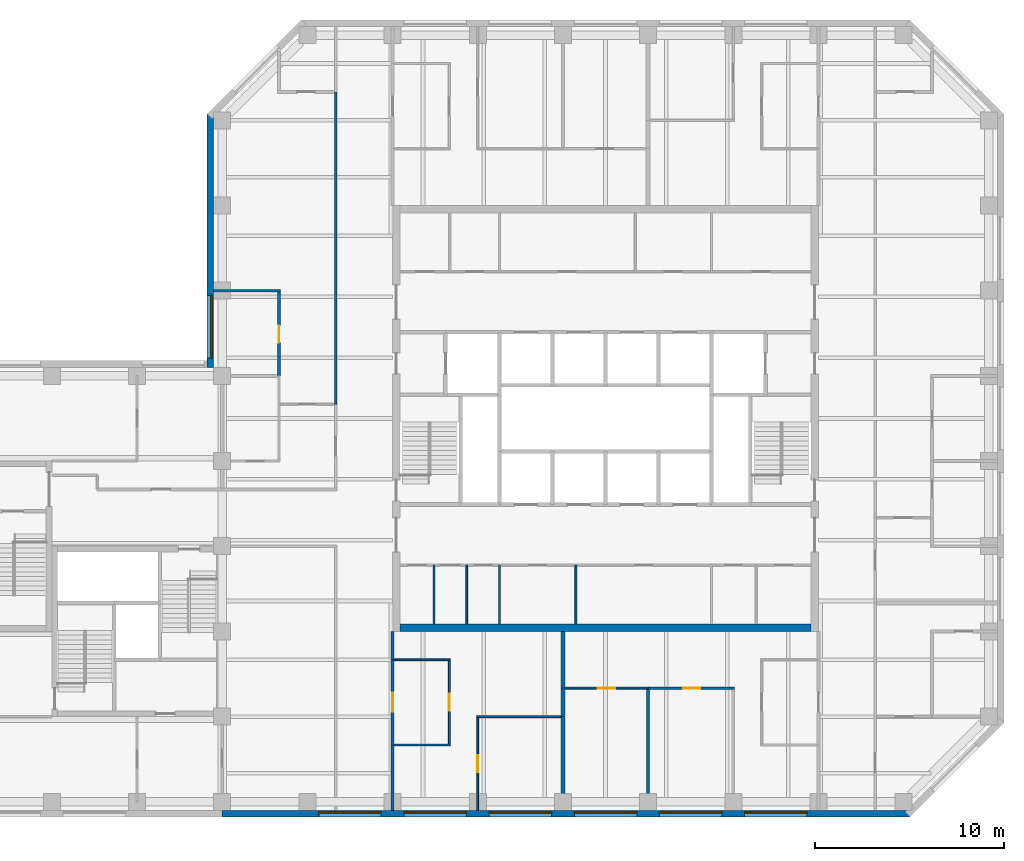
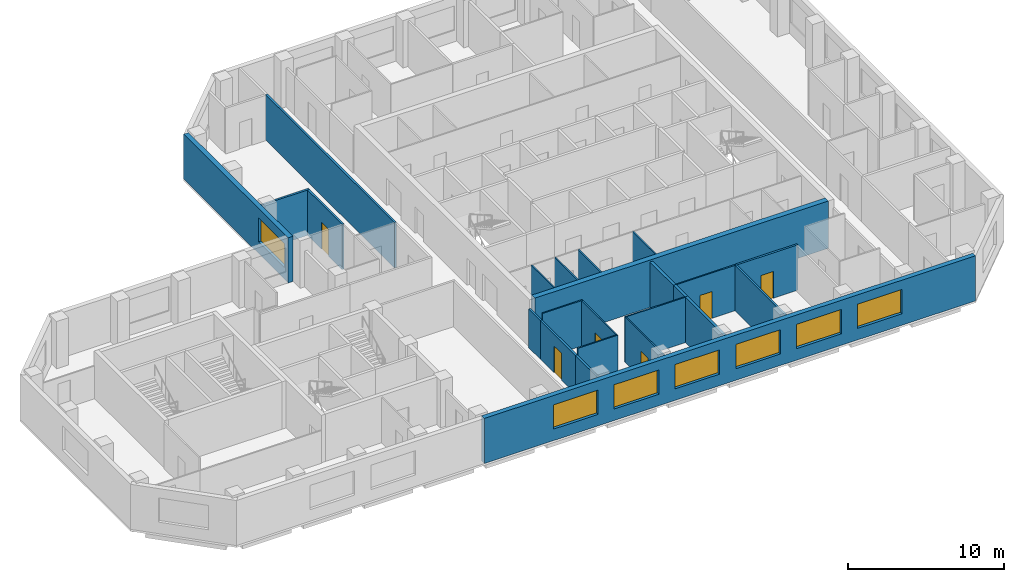
# One storey, part 4 of 10: 24 walls, 7 windows, 6 doors, 13 openings.
"""IFC4 building model written with IfcOpenShell, lengths in metres."""

import ifcopenshell
import ifcopenshell.guid

model = None  # the IFC model being written
_history = None  # IfcOwnerHistory: only IFC2X3 demands one
_inside = {}  # id of a spatial element -> (the spatial element, [elements in it])
_under = {}  # id of a project, library or spatial element -> (it, [spatial elements below it])
_declared = {}  # id of a project -> (the project, [libraries it declares])
_typed = {}  # id of a type object -> (the type object, [elements of that type])
_made_of = {}  # id of a material, layer set ... -> (it, [elements and type objects made of it])


def new_model(schema):
    """Start an empty IFC model of exactly this schema.

    Asked for "IFC4X3", IfcOpenShell would pick the latest addendum, in which some entities
    have other attributes; the version numbers below select the first issue.
    IFC2X3 requires an IfcOwnerHistory on every rooted entity: one is made here for all.
    """
    global model, _history
    if schema == "IFC4X3":
        model = ifcopenshell.file(schema_version=(4, 3, 0, 0))
    else:
        model = ifcopenshell.file(schema=schema)
    _inside.clear()
    _under.clear()
    _declared.clear()
    _typed.clear()
    _made_of.clear()
    _history = None
    if model.schema == "IFC2X3":
        org = make("IfcOrganization", Name="unknown")
        user = make(
            "IfcPersonAndOrganization",
            ThePerson=make("IfcPerson", FamilyName="unknown"),
            TheOrganization=org,
        )
        app = make(
            "IfcApplication",
            ApplicationDeveloper=org,
            Version="unknown",
            ApplicationFullName="unknown",
            ApplicationIdentifier="unknown",
        )
        _history = make(
            "IfcOwnerHistory",
            OwningUser=user,
            OwningApplication=app,
            ChangeAction="ADDED",
            CreationDate=0,
        )
    return model


def make(cls, **values):
    """One entity of the class cls with the attributes given. An attribute that is None is left unset."""
    return model.create_entity(
        cls, **{name: value for name, value in values.items() if value is not None}
    )


def rooted(cls, **values):
    """An entity with a GlobalId (a new one), such as an element, a storey or a relation."""
    return make(cls, GlobalId=ifcopenshell.guid.new(), OwnerHistory=_history, **values)


def si_unit(unit_type, name, prefix=None):
    """IfcSIUnit, for example si_unit("LENGTHUNIT", "METRE", prefix="MILLI")."""
    return make("IfcSIUnit", UnitType=unit_type, Prefix=prefix, Name=name)


def assignment(units):
    """IfcUnitAssignment: the units of a project."""
    return None if units is None else make("IfcUnitAssignment", Units=units)


def point(xyz):
    """IfcCartesianPoint."""
    return None if xyz is None else make("IfcCartesianPoint", Coordinates=xyz)


def direction(xyz):
    """IfcDirection."""
    return None if xyz is None else make("IfcDirection", DirectionRatios=xyz)


def frame(location, z_axis=None, x_axis=None):
    """IfcAxis2Placement3D, a coordinate frame: its origin and axes. An axis left out is left unset."""
    return make(
        "IfcAxis2Placement3D",
        Location=point(location),
        Axis=direction(z_axis),
        RefDirection=direction(x_axis),
    )


def frame_2d(location, x_axis=None):
    """IfcAxis2Placement2D, a coordinate frame in the plane: its origin and x axis."""
    return make(
        "IfcAxis2Placement2D", Location=point(location), RefDirection=direction(x_axis)
    )


def origin():
    """The frame at (0, 0, 0) with its axes left unset."""
    return frame((0.0, 0.0, 0.0))


def place(relative_to, where):
    """IfcLocalPlacement: puts the frame where relative to a parent placement (None: the world)."""
    return make(
        "IfcLocalPlacement", PlacementRelTo=relative_to, RelativePlacement=where
    )


def context(
    kind, dimensions, precision=None, world=None, true_north=None, identifier=None
):
    """IfcGeometricRepresentationContext, for example the 3D "Model" context."""
    return make(
        "IfcGeometricRepresentationContext",
        ContextIdentifier=identifier,
        ContextType=kind,
        CoordinateSpaceDimension=dimensions,
        Precision=precision,
        WorldCoordinateSystem=world,
        TrueNorth=true_north,
    )


def subcontext(parent, identifier, kind, view, scale=None):
    """IfcGeometricRepresentationSubContext, for example "Body" below "Model"."""
    return make(
        "IfcGeometricRepresentationSubContext",
        ContextIdentifier=identifier,
        ContextType=kind,
        ParentContext=parent,
        TargetScale=scale,
        TargetView=view,
    )


def project(units=None, contexts=None):
    """IfcProject with its units and contexts."""
    return rooted(
        "IfcProject",
        Name="project",
        RepresentationContexts=contexts,
        UnitsInContext=assignment(units),
    )


def spatial(cls, under=None, at=None, **own):
    """A site, building, storey or space (cls), placed at a placement, below another one or the project."""
    s = rooted(cls, ObjectPlacement=at, **own)
    if under is not None:
        _under.setdefault(under.id(), (under, []))[1].append(s)
    return s


def profile(cls, at=None, kind="AREA", **sizes):
    """A parametric profile (cls). Its sizes go by their IFC names, for example OverallWidth=200.0."""
    return make(cls, ProfileType=kind, Position=at, **sizes)


def rectangle(**sizes):
    """IfcRectangleProfileDef."""
    return profile("IfcRectangleProfileDef", **sizes)


def extrude(swept, where, along, depth):
    """IfcExtrudedAreaSolid: the profile swept, set in the frame where, extruded along a direction by depth."""
    return make(
        "IfcExtrudedAreaSolid",
        SweptArea=swept,
        Position=where,
        ExtrudedDirection=direction(along),
        Depth=depth,
    )


def shape(context_of_items, identifier, shape_type, items):
    """IfcShapeRepresentation: the items that make up one representation, for example the "Body"."""
    return make(
        "IfcShapeRepresentation",
        ContextOfItems=context_of_items,
        RepresentationIdentifier=identifier,
        RepresentationType=shape_type,
        Items=items,
    )


def material(Name=None, Category=None):
    """IfcMaterial."""
    return make("IfcMaterial", Name=Name, Category=Category)


def layer(
    of_material, thickness, ventilated=None, Name=None, Category=None, Priority=None
):
    """IfcMaterialLayer: one layer of a wall or slab, of a material (None: an air gap)."""
    return make(
        "IfcMaterialLayer",
        Material=of_material,
        LayerThickness=thickness,
        IsVentilated=ventilated,
        Name=Name,
        Category=Category,
        Priority=Priority,
    )


def layer_set(layers, Name=None):
    """IfcMaterialLayerSet."""
    return make("IfcMaterialLayerSet", MaterialLayers=layers, LayerSetName=Name)


def constituent(of_material, Name=None, Category=None, fraction=None):
    """IfcMaterialConstituent: one of the materials an element consists of."""
    return make(
        "IfcMaterialConstituent",
        Name=Name,
        Material=of_material,
        Fraction=fraction,
        Category=Category,
    )


def constituent_set(constituents=None, Name=None):
    """IfcMaterialConstituentSet."""
    return make(
        "IfcMaterialConstituentSet", Name=Name, MaterialConstituents=constituents
    )


def made_of(thing, what):
    """Note that an element or type object is made of a material, layer set ...; save() writes the relation."""
    if what is not None:
        _made_of.setdefault(what.id(), (what, []))[1].append(thing)
    return thing


def type_object(cls, material=None, **own):
    """A type object (cls), such as IfcWallType, which elements share."""
    return made_of(rooted(cls, **own), material)


def element(
    cls,
    number,
    at=None,
    inside=None,
    cuts=None,
    type_object=None,
    material=None,
    context=None,
    identifier="Body",
    shape_type=None,
    held_by="IfcProductDefinitionShape",
    body=None,
    shapes=None,
    **own,
):
    """One element of the class cls, such as IfcWall. Its Tag is "e" and its number.

    at: its placement. inside: the storey or other place that contains it. cuts: it is an
    opening in that element (IfcRelVoidsElement). A single representation is given by context,
    identifier, shape_type and body (its items); several are given by shapes. held_by: the class
    of the entity that holds the representations. save() writes the other relations.
    """
    e = rooted(cls, Tag="e%d" % number, ObjectPlacement=at, **own)
    if body is not None:
        shapes = [shape(context, identifier, shape_type, body)]
    if shapes is not None:
        e.Representation = make(held_by, Representations=shapes)
    if inside is not None:
        _inside.setdefault(inside.id(), (inside, []))[1].append(e)
    if cuts is not None:
        rooted(
            "IfcRelVoidsElement", RelatingBuildingElement=cuts, RelatedOpeningElement=e
        )
    if type_object is not None:
        _typed.setdefault(type_object.id(), (type_object, []))[1].append(e)
    return made_of(e, material)


def fill(opening, filler):
    """IfcRelFillsElement: the door or window that sits in an opening."""
    return rooted(
        "IfcRelFillsElement",
        RelatingOpeningElement=opening,
        RelatedBuildingElement=filler,
    )


def aggregate(whole, parts):
    """IfcRelAggregates: a whole, such as a stair, and the parts it consists of."""
    return rooted("IfcRelAggregates", RelatingObject=whole, RelatedObjects=parts)


def save(model, path):
    """Write the relations noted so far, then the file.

    IfcRelAggregates (storeys below a building ...), IfcRelContainedInSpatialStructure (elements
    in a storey), IfcRelDefinesByType, IfcRelAssociatesMaterial and IfcRelDeclares: one each for
    every whole, place, type object, material and project.
    """
    for whole, parts in _under.values():
        aggregate(whole, parts)
    for where, things in _inside.values():
        rooted(
            "IfcRelContainedInSpatialStructure",
            RelatedElements=things,
            RelatingStructure=where,
        )
    for kind, things in _typed.values():
        rooted("IfcRelDefinesByType", RelatedObjects=things, RelatingType=kind)
    for what, things in _made_of.values():
        rooted("IfcRelAssociatesMaterial", RelatedObjects=things, RelatingMaterial=what)
    for by, libraries in _declared.values():
        rooted("IfcRelDeclares", RelatingContext=by, RelatedDefinitions=libraries)
    model.write(path)


model = new_model("IFC4")

# Units and contexts
model_context = context("Model", 3, precision=1e-05, world=origin(), true_north=direction((0.0, 1.0)))
body_context = subcontext(model_context, "Body", "Model", "MODEL_VIEW")
ifc_project = project(units=[si_unit("LENGTHUNIT", "METRE"), si_unit("AREAUNIT", "SQUARE_METRE"), si_unit("VOLUMEUNIT", "CUBIC_METRE"), si_unit("PLANEANGLEUNIT", "RADIAN"), si_unit("MASSUNIT", "GRAM", prefix="KILO")], contexts=[model_context])

# Site, building, storey
site_placement = place(None, origin())
site = spatial("IfcSite", under=ifc_project, at=site_placement, CompositionType="ELEMENT")
building_placement = place(site_placement, origin())
building = spatial("IfcBuilding", under=site, at=building_placement, Name="Quoin Convention Tower", CompositionType="ELEMENT")
storey_placement = place(building_placement, frame((0.0, 0.0, 195.800048828125)))
storey = spatial("IfcBuildingStorey", under=building, at=storey_placement, Name="L51", CompositionType="ELEMENT", Elevation=195.800048828125)

# Wall, opening, door
ifc_material_1 = material(Name="Plasterboard")
ifc_layer_1 = layer(ifc_material_1, 0.012451171875, Name="Finish")
ifc_material_2 = material(Name="Steel stud framing", Category="steel")
ifc_layer_2 = layer(ifc_material_2, 0.125, Name="Structure")
ifc_layer_3 = layer(ifc_material_1, 0.012451171875, Name="Finish")
ifc_layer_set_1 = layer_set([ifc_layer_1, ifc_layer_2, ifc_layer_3], Name="Steel stud framing")
wall_type_1 = type_object("IfcWallType", Name="Acoustic partition 150", PredefinedType="PARTITIONING", material=ifc_layer_set_1)
wall_1_placement = place(storey_placement, frame((58.5, 46.5, 0.0), z_axis=(0.0, 0.0, 1.0), x_axis=(1.0, 0.0, 0.0)))
wall_1 = element("IfcWall", 1, at=wall_1_placement, inside=storey, type_object=wall_type_1, Name="pw-L51-010", PredefinedType="PARTITIONING", context=body_context, shape_type="SweptSolid", body=[
    extrude(rectangle(XDim=4.574951171875, YDim=0.14990234375, at=frame_2d((2.28759765625, 0.0))), origin(), (0.0, 0.0, 1.0), 3.550048828125),
])
opening_1_placement = place(wall_1_placement, frame((1.85009765625, 0.0, 0.0)))
opening_1 = element("IfcOpeningElement", 2, at=opening_1_placement, cuts=wall_1, Name="Opening DOH7-03", PredefinedType="OPENING", context=body_context, shape_type="SweptSolid", body=[
    extrude(rectangle(XDim=0.89990234375, YDim=2.10009765625, at=frame_2d((0.449951171875, 1.050048828125))), frame((0.0, 0.0849609375, 0.0), z_axis=(0.0, -1.0, 0.0), x_axis=(1.0, 0.0, 0.0)), (0.0, 0.0, 1.0), 0.169921875),
])
ifc_material_3 = material(Name="Steel door leaf", Category="steel")
door_type_1 = type_object("IfcDoorType", Name="Office door 900 x 2100", OperationType="SINGLE_SWING_RIGHT", PredefinedType="DOOR", material=ifc_material_3)
door_1_placement = place(opening_1_placement, origin())
door_1 = element("IfcDoor", 3, at=door_1_placement, inside=storey, type_object=door_type_1, Name="dr-L51-18", OperationType="SINGLE_SWING_RIGHT", OverallHeight=2.10009765625, OverallWidth=0.89990234375, PredefinedType="DOOR", context=body_context, shape_type="SweptSolid", body=[
    extrude(rectangle(XDim=0.89990234375, YDim=2.10009765625, at=frame_2d((0.449951171875, 1.050048828125))), frame((0.0, 0.02490234375, 0.0), z_axis=(0.0, -1.0, 0.0), x_axis=(1.0, 0.0, 0.0)), (0.0, 0.0, 1.0), 0.050048828125),
])
fill(opening_1, door_1)

# Walls
wall_2_placement = place(storey_placement, frame((35.550048828125, 67.5, 0.0), z_axis=(0.0, 0.0, 1.0), x_axis=(1.0, 0.0, 0.0)))
element("IfcWall", 4, at=wall_2_placement, inside=storey, type_object=wall_type_1, Name="pw-L51-028", PredefinedType="PARTITIONING", context=body_context, shape_type="SweptSolid", body=[
    extrude(rectangle(XDim=3.52490234375, YDim=0.14990234375, at=frame_2d((1.762451171875, 0.0))), origin(), (0.0, 0.0, 1.0), 3.550048828125),
])
wall_3_placement = place(storey_placement, frame((58.5, 40.050048828125, 0.0), z_axis=(0.0, 0.0, 1.0), x_axis=(0.0, 1.0, 0.0)))
element("IfcWall", 5, at=wall_3_placement, inside=storey, type_object=wall_type_1, Name="pw-L51-043", PredefinedType="PARTITIONING", context=body_context, shape_type="SweptSolid", body=[
    extrude(rectangle(XDim=6.375, YDim=0.14990234375, at=frame_2d((3.1875, 0.0))), origin(), (0.0, 0.0, 1.0), 3.550048828125),
])

# Wall, opening, door
wall_4_placement = place(storey_placement, frame((39.0, 63.0, 0.0), z_axis=(0.0, 0.0, 1.0), x_axis=(0.0, 1.0, 0.0)))
wall_4 = element("IfcWall", 6, at=wall_4_placement, inside=storey, type_object=wall_type_1, Name="pw-L51-076", PredefinedType="PARTITIONING", context=body_context, shape_type="SweptSolid", body=[
    extrude(rectangle(XDim=4.425048828125, YDim=0.14990234375, at=frame_2d((2.21240234375, 0.0))), origin(), (0.0, 0.0, 1.0), 3.550048828125),
])
opening_2_placement = place(wall_4_placement, frame((1.75, 0.0, 0.0)))
opening_2 = element("IfcOpeningElement", 7, at=opening_2_placement, cuts=wall_4, Name="Opening DOH7-23", PredefinedType="OPENING", context=body_context, shape_type="SweptSolid", body=[
    extrude(rectangle(XDim=0.89990234375, YDim=2.10009765625, at=frame_2d((0.449951171875, 1.050048828125))), frame((0.0, 0.0849609375, 0.0), z_axis=(0.0, -1.0, 0.0), x_axis=(1.0, 0.0, 0.0)), (0.0, 0.0, 1.0), 0.169921875),
])
door_2_placement = place(opening_2_placement, frame((0.89990234375, 0.0, 0.0), z_axis=(0.0, 0.0, 1.0), x_axis=(-1.0, 0.0, 0.0)))
door_2 = element("IfcDoor", 8, at=door_2_placement, inside=storey, type_object=door_type_1, Name="dr-L51-10", OperationType="SINGLE_SWING_LEFT", OverallHeight=2.10009765625, OverallWidth=0.89990234375, PredefinedType="DOOR", context=body_context, shape_type="SweptSolid", body=[
    extrude(rectangle(XDim=0.89990234375, YDim=2.10009765625, at=frame_2d((0.449951171875, 1.050048828125))), frame((0.0, 0.02490234375, 0.0), z_axis=(0.0, -1.0, 0.0), x_axis=(1.0, 0.0, 0.0)), (0.0, 0.0, 1.0), 0.050048828125),
])
fill(opening_2, door_2)

# Wall, openings, windows
ifc_material_4 = material(Name="Brick masonry", Category="masonry")
ifc_layer_4 = layer(ifc_material_4, 0.35009765625)
ifc_layer_set_2 = layer_set([ifc_layer_4], Name="Brick masonry")
wall_type_2 = type_object("IfcWallType", Name="Brick facade wall", PredefinedType="STANDARD", material=ifc_layer_set_2)
wall_5_placement = place(storey_placement, frame((36.0, 39.875, 0.0), z_axis=(0.0, 0.0, 1.0), x_axis=(1.0, 0.0, 0.0)))
wall_5 = element("IfcWall", 9, at=wall_5_placement, inside=storey, type_object=wall_type_2, Name="fw-L51-36000_40500", PredefinedType="STANDARD", context=body_context, shape_type="SweptSolid", body=[
    extrude(rectangle(XDim=36.331298828125, YDim=0.35009765625, at=frame_2d((18.16552734375, 0.0))), origin(), (0.0, 0.0, 1.0), 3.52490234375),
])
opening_3_placement = place(wall_5_placement, frame((5.10009765625, 0.0, 0.89990234375)))
opening_3 = element("IfcOpeningElement", 10, at=opening_3_placement, cuts=wall_5, Name="Opening W-02", PredefinedType="OPENING", context=body_context, shape_type="SweptSolid", body=[
    extrude(rectangle(XDim=3.300048828125, YDim=1.89990234375, at=frame_2d((1.64990234375, 0.949951171875))), frame((0.0, 0.18505859375, 0.0), z_axis=(0.0, -1.0, 0.0), x_axis=(1.0, 0.0, 0.0)), (0.0, 0.0, 1.0), 0.3701171875),
])
opening_4_placement = place(wall_5_placement, frame((9.60009765625, 0.0, 0.89990234375)))
opening_4 = element("IfcOpeningElement", 11, at=opening_4_placement, cuts=wall_5, Name="Opening W-02", PredefinedType="OPENING", context=body_context, shape_type="SweptSolid", body=[
    extrude(rectangle(XDim=3.300048828125, YDim=1.89990234375, at=frame_2d((1.64990234375, 0.949951171875))), frame((0.0, 0.18505859375, 0.0), z_axis=(0.0, -1.0, 0.0), x_axis=(1.0, 0.0, 0.0)), (0.0, 0.0, 1.0), 0.3701171875),
])
opening_5_placement = place(wall_5_placement, frame((14.10009765625, 0.0, 0.89990234375)))
opening_5 = element("IfcOpeningElement", 12, at=opening_5_placement, cuts=wall_5, Name="Opening W-02", PredefinedType="OPENING", context=body_context, shape_type="SweptSolid", body=[
    extrude(rectangle(XDim=3.300048828125, YDim=1.89990234375, at=frame_2d((1.64990234375, 0.949951171875))), frame((0.0, 0.18505859375, 0.0), z_axis=(0.0, -1.0, 0.0), x_axis=(1.0, 0.0, 0.0)), (0.0, 0.0, 1.0), 0.3701171875),
])
opening_6_placement = place(wall_5_placement, frame((18.60009765625, 0.0, 0.89990234375)))
opening_6 = element("IfcOpeningElement", 13, at=opening_6_placement, cuts=wall_5, Name="Opening W-02", PredefinedType="OPENING", context=body_context, shape_type="SweptSolid", body=[
    extrude(rectangle(XDim=3.300048828125, YDim=1.89990234375, at=frame_2d((1.64990234375, 0.949951171875))), frame((0.0, 0.18505859375, 0.0), z_axis=(0.0, -1.0, 0.0), x_axis=(1.0, 0.0, 0.0)), (0.0, 0.0, 1.0), 0.3701171875),
])
opening_7_placement = place(wall_5_placement, frame((23.10009765625, 0.0, 0.89990234375)))
opening_7 = element("IfcOpeningElement", 14, at=opening_7_placement, cuts=wall_5, Name="Opening W-02", PredefinedType="OPENING", context=body_context, shape_type="SweptSolid", body=[
    extrude(rectangle(XDim=3.300048828125, YDim=1.89990234375, at=frame_2d((1.64990234375, 0.949951171875))), frame((0.0, 0.18505859375, 0.0), z_axis=(0.0, -1.0, 0.0), x_axis=(1.0, 0.0, 0.0)), (0.0, 0.0, 1.0), 0.3701171875),
])
opening_8_placement = place(wall_5_placement, frame((27.60009765625, 0.0, 0.89990234375)))
opening_8 = element("IfcOpeningElement", 15, at=opening_8_placement, cuts=wall_5, Name="Opening W-02", PredefinedType="OPENING", context=body_context, shape_type="SweptSolid", body=[
    extrude(rectangle(XDim=3.300048828125, YDim=1.89990234375, at=frame_2d((1.64990234375, 0.949951171875))), frame((0.0, 0.18505859375, 0.0), z_axis=(0.0, -1.0, 0.0), x_axis=(1.0, 0.0, 0.0)), (0.0, 0.0, 1.0), 0.3701171875),
])
ifc_material_5 = material(Name="Aluminium", Category="aluminium")
ifc_constituent_1 = constituent(ifc_material_5, Name="Frame")
ifc_material_6 = material(Name="Insulated glass", Category="glass")
ifc_constituent_2 = constituent(ifc_material_6, Name="Glazing")
ifc_constituent_set = constituent_set(constituents=[ifc_constituent_1, ifc_constituent_2], Name="Aluminium")
window_type = type_object("IfcWindowType", Name="Office window", PartitioningType="DOUBLE_PANEL_VERTICAL", PredefinedType="WINDOW", material=ifc_constituent_set)
window_1_placement = place(opening_3_placement, origin())
window_1 = element("IfcWindow", 16, at=window_1_placement, inside=storey, type_object=window_type, Name="win-L51-42750_39875", OverallHeight=1.89990234375, OverallWidth=3.300048828125, PartitioningType="SINGLE_PANEL", PredefinedType="WINDOW", context=body_context, shape_type="SweptSolid", body=[
    extrude(rectangle(XDim=3.300048828125, YDim=1.89990234375, at=frame_2d((1.64990234375, 0.949951171875))), frame((0.0, 0.0849609375, 0.0), z_axis=(0.0, -1.0, 0.0), x_axis=(1.0, 0.0, 0.0)), (0.0, 0.0, 1.0), 0.06005859375),
])
fill(opening_3, window_1)
window_2_placement = place(opening_4_placement, origin())
window_2 = element("IfcWindow", 17, at=window_2_placement, inside=storey, type_object=window_type, Name="win-L51-47250_39875", OverallHeight=1.89990234375, OverallWidth=3.300048828125, PartitioningType="SINGLE_PANEL", PredefinedType="WINDOW", context=body_context, shape_type="SweptSolid", body=[
    extrude(rectangle(XDim=3.300048828125, YDim=1.89990234375, at=frame_2d((1.64990234375, 0.949951171875))), frame((0.0, 0.0849609375, 0.0), z_axis=(0.0, -1.0, 0.0), x_axis=(1.0, 0.0, 0.0)), (0.0, 0.0, 1.0), 0.06005859375),
])
fill(opening_4, window_2)
window_3_placement = place(opening_5_placement, origin())
window_3 = element("IfcWindow", 18, at=window_3_placement, inside=storey, type_object=window_type, Name="win-L51-51750_39875", OverallHeight=1.89990234375, OverallWidth=3.300048828125, PartitioningType="SINGLE_PANEL", PredefinedType="WINDOW", context=body_context, shape_type="SweptSolid", body=[
    extrude(rectangle(XDim=3.300048828125, YDim=1.89990234375, at=frame_2d((1.64990234375, 0.949951171875))), frame((0.0, 0.0849609375, 0.0), z_axis=(0.0, -1.0, 0.0), x_axis=(1.0, 0.0, 0.0)), (0.0, 0.0, 1.0), 0.06005859375),
])
fill(opening_5, window_3)
window_4_placement = place(opening_6_placement, origin())
window_4 = element("IfcWindow", 19, at=window_4_placement, inside=storey, type_object=window_type, Name="win-L51-56250_39875", OverallHeight=1.89990234375, OverallWidth=3.300048828125, PartitioningType="SINGLE_PANEL", PredefinedType="WINDOW", context=body_context, shape_type="SweptSolid", body=[
    extrude(rectangle(XDim=3.300048828125, YDim=1.89990234375, at=frame_2d((1.64990234375, 0.949951171875))), frame((0.0, 0.0849609375, 0.0), z_axis=(0.0, -1.0, 0.0), x_axis=(1.0, 0.0, 0.0)), (0.0, 0.0, 1.0), 0.06005859375),
])
fill(opening_6, window_4)
window_5_placement = place(opening_7_placement, origin())
window_5 = element("IfcWindow", 20, at=window_5_placement, inside=storey, type_object=window_type, Name="win-L51-60750_39875", OverallHeight=1.89990234375, OverallWidth=3.300048828125, PartitioningType="SINGLE_PANEL", PredefinedType="WINDOW", context=body_context, shape_type="SweptSolid", body=[
    extrude(rectangle(XDim=3.300048828125, YDim=1.89990234375, at=frame_2d((1.64990234375, 0.949951171875))), frame((0.0, 0.0849609375, 0.0), z_axis=(0.0, -1.0, 0.0), x_axis=(1.0, 0.0, 0.0)), (0.0, 0.0, 1.0), 0.06005859375),
])
fill(opening_7, window_5)
window_6_placement = place(opening_8_placement, origin())
window_6 = element("IfcWindow", 21, at=window_6_placement, inside=storey, type_object=window_type, Name="win-L51-65250_39875", OverallHeight=1.89990234375, OverallWidth=3.300048828125, PartitioningType="SINGLE_PANEL", PredefinedType="WINDOW", context=body_context, shape_type="SweptSolid", body=[
    extrude(rectangle(XDim=3.300048828125, YDim=1.89990234375, at=frame_2d((1.64990234375, 0.949951171875))), frame((0.0, 0.0849609375, 0.0), z_axis=(0.0, -1.0, 0.0), x_axis=(1.0, 0.0, 0.0)), (0.0, 0.0, 1.0), 0.06005859375),
])
fill(opening_8, window_6)

# Wall, opening, window
wall_6_placement = place(storey_placement, frame((35.375, 76.831298828125, 0.0), z_axis=(0.0, 0.0, 1.0), x_axis=(0.0, -1.0, 0.0)))
wall_6 = element("IfcWall", 22, at=wall_6_placement, inside=storey, type_object=wall_type_2, Name="fw-L51-36000_76500", PredefinedType="STANDARD", context=body_context, shape_type="SweptSolid", body=[
    extrude(rectangle(XDim=13.38134765625, YDim=0.35009765625, at=frame_2d((6.690673828125, 0.0))), origin(), (0.0, 0.0, 1.0), 3.52490234375),
])
opening_9_placement = place(wall_6_placement, frame((9.581298828125, 0.0, 0.89990234375)))
opening_9 = element("IfcOpeningElement", 23, at=opening_9_placement, cuts=wall_6, Name="Opening W-02", PredefinedType="OPENING", context=body_context, shape_type="SweptSolid", body=[
    extrude(rectangle(XDim=3.300048828125, YDim=1.89990234375, at=frame_2d((1.64990234375, 0.949951171875))), frame((0.0, 0.18505859375, 0.0), z_axis=(0.0, -1.0, 0.0), x_axis=(1.0, 0.0, 0.0)), (0.0, 0.0, 1.0), 0.3701171875),
])
window_7_placement = place(opening_9_placement, origin())
window_7 = element("IfcWindow", 24, at=window_7_placement, inside=storey, type_object=window_type, Name="win-L51-35375_65250", OverallHeight=1.89990234375, OverallWidth=3.300048828125, PartitioningType="SINGLE_PANEL", PredefinedType="WINDOW", context=body_context, shape_type="SweptSolid", body=[
    extrude(rectangle(XDim=3.300048828125, YDim=1.89990234375, at=frame_2d((1.64990234375, 0.949951171875))), frame((0.0, 0.0849609375, 0.0), z_axis=(0.0, -1.0, 0.0), x_axis=(1.0, 0.0, 0.0)), (0.0, 0.0, 1.0), 0.06005859375),
])
fill(opening_9, window_7)

# Walls
ifc_layer_5 = layer(ifc_material_1, 0.012451171875, Name="Finish")
ifc_layer_6 = layer(ifc_material_2, 0.074951171875, Name="Structure")
ifc_layer_7 = layer(ifc_material_1, 0.012451171875, Name="Finish")
ifc_layer_set_3 = layer_set([ifc_layer_5, ifc_layer_6, ifc_layer_7], Name="Steel stud framing")
wall_type_3 = type_object("IfcWallType", Name="Core partition wall", PredefinedType="PARTITIONING", material=ifc_layer_set_3)
for number, where, z_axis, x_axis, name in (
    (25, (47.18505859375, 49.89990234375, 0.0), (0.0, 0.0, 1.0), (0.0, 1.0, 0.0), "cr-C1-L51-v2185_400"),
    (26, (48.91748046875, 49.89990234375, 0.0), (0.0, 0.0, 1.0), (0.0, 1.0, 0.0), "cr-C1-L51-v3918_400"),
    (27, (50.64990234375, 49.89990234375, 0.0), (0.0, 0.0, 1.0), (0.0, 1.0, 0.0), "cr-C1-L51-v5650_400"),
    (28, (54.681884765625, 49.89990234375, 0.0), (0.0, 0.0, 1.0), (0.0, 1.0, 0.0), "cr-C1-L51-v9682_400"),
):
    element("IfcWall", number, at=place(storey_placement, frame(where, z_axis=z_axis, x_axis=x_axis)), inside=storey, type_object=wall_type_3, Name=name, PredefinedType="PARTITIONING", context=body_context, shape_type="SweptSolid", body=[
        extrude(rectangle(XDim=3.10009765625, YDim=0.10009765625, at=frame_2d((1.550048828125, 0.0))), origin(), (0.0, 0.0, 1.0), 3.550048828125),
    ])
ifc_layer_8 = layer(ifc_material_1, 0.012451171875, Name="Finish")
ifc_layer_9 = layer(ifc_material_2, 0.125, Name="Structure")
ifc_layer_10 = layer(ifc_material_1, 0.012451171875, Name="Finish")
ifc_layer_set_4 = layer_set([ifc_layer_8, ifc_layer_9, ifc_layer_10], Name="Steel stud framing")
wall_type_4 = type_object("IfcWallType", Name="Corridor wall 150", PredefinedType="PARTITIONING", material=ifc_layer_set_4)
wall_7_placement = place(storey_placement, frame((42.0, 61.5, 0.0), z_axis=(0.0, 0.0, 1.0), x_axis=(0.0, 1.0, 0.0)))
element("IfcWall", 29, at=wall_7_placement, inside=storey, type_object=wall_type_4, Name="pw-L51-075", PredefinedType="PARTITIONING", context=body_context, shape_type="SweptSolid", body=[
    extrude(rectangle(XDim=16.5, YDim=0.14990234375, at=frame_2d((8.25, 0.0))), origin(), (0.0, 0.0, 1.0), 3.550048828125),
])
ifc_layer_11 = layer(ifc_material_1, 0.012451171875, Name="Finish")
ifc_layer_12 = layer(ifc_material_2, 0.125, Name="Structure")
ifc_layer_13 = layer(ifc_material_1, 0.012451171875, Name="Finish")
ifc_layer_set_5 = layer_set([ifc_layer_11, ifc_layer_12, ifc_layer_13], Name="Steel stud framing")
wall_type_5 = type_object("IfcWallType", Name="Corridor wall 150 under beam 528", PredefinedType="PARTITIONING", material=ifc_layer_set_5)
wall_8_placement = place(storey_placement, frame((45.0, 40.050048828125, 0.0), z_axis=(0.0, 0.0, 1.0), x_axis=(0.0, 1.0, 0.0)))
element("IfcWall", 30, at=wall_8_placement, inside=storey, type_object=wall_type_5, Name="pw-L51-040", PredefinedType="PARTITIONING", context=body_context, shape_type="SweptSolid", body=[
    extrude(rectangle(XDim=3.449951171875, YDim=0.14990234375, at=frame_2d((1.72509765625, 0.0))), origin(), (0.0, 0.0, 1.0), 3.02197265625),
])

# Wall, opening, door
wall_9_placement = place(storey_placement, frame((45.0, 43.5, 0.0), z_axis=(0.0, 0.0, 1.0), x_axis=(0.0, 1.0, 0.0)))
wall_9 = element("IfcWall", 31, at=wall_9_placement, inside=storey, type_object=wall_type_5, Name="pw-L51-048", PredefinedType="PARTITIONING", context=body_context, shape_type="SweptSolid", body=[
    extrude(rectangle(XDim=4.5, YDim=0.14990234375, at=frame_2d((2.25, 0.0))), origin(), (0.0, 0.0, 1.0), 3.02197265625),
])
opening_10_placement = place(wall_9_placement, frame((1.75, 0.0, 0.0)))
opening_10 = element("IfcOpeningElement", 32, at=opening_10_placement, cuts=wall_9, Name="Opening DOH7-15", PredefinedType="OPENING", context=body_context, shape_type="SweptSolid", body=[
    extrude(rectangle(XDim=1.0, YDim=2.10009765625, at=frame_2d((0.5, 1.050048828125))), frame((0.0, 0.0849609375, 0.0), z_axis=(0.0, -1.0, 0.0), x_axis=(1.0, 0.0, 0.0)), (0.0, 0.0, 1.0), 0.169921875),
])
door_type_2 = type_object("IfcDoorType", Name="Tenancy entrance door 1000 x 2100", OperationType="DOUBLE_DOOR_SINGLE_SWING", PredefinedType="DOOR", material=ifc_material_3)
door_3_placement = place(opening_10_placement, frame((1.0, 0.0, 0.0), z_axis=(0.0, 0.0, 1.0), x_axis=(-1.0, 0.0, 0.0)))
door_3 = element("IfcDoor", 33, at=door_3_placement, inside=storey, type_object=door_type_2, Name="dr-L51-12", OperationType="DOUBLE_DOOR_SINGLE_SWING", OverallHeight=2.10009765625, OverallWidth=1.0, PredefinedType="DOOR", context=body_context, shape_type="SweptSolid", body=[
    extrude(rectangle(XDim=1.0, YDim=2.10009765625, at=frame_2d((0.5, 1.050048828125))), frame((0.0, 0.02490234375, 0.0), z_axis=(0.0, -1.0, 0.0), x_axis=(1.0, 0.0, 0.0)), (0.0, 0.0, 1.0), 0.050048828125),
])
fill(opening_10, door_3)

# Walls
wall_10_placement = place(storey_placement, frame((45.0, 48.0, 0.0), z_axis=(0.0, 0.0, 1.0), x_axis=(0.0, 1.0, 0.0)))
element("IfcWall", 34, at=wall_10_placement, inside=storey, type_object=wall_type_5, Name="pw-L51-060", PredefinedType="PARTITIONING", context=body_context, shape_type="SweptSolid", body=[
    extrude(rectangle(XDim=1.5, YDim=0.14990234375, at=frame_2d((0.75, 0.0))), origin(), (0.0, 0.0, 1.0), 3.02197265625),
])
ifc_material_7 = material(Name="Concrete C50", Category="concrete")
ifc_layer_14 = layer(ifc_material_7, 0.39990234375)
ifc_layer_set_6 = layer_set([ifc_layer_14], Name="Concrete C50")
wall_type_6 = type_object("IfcWallType", Name="RC CORE WALL 400 C50", PredefinedType="SHEAR", material=ifc_layer_set_6)
wall_11_placement = place(storey_placement, frame((45.39990234375, 49.699951171875, 0.0), z_axis=(0.0, 0.0, 1.0), x_axis=(1.0, 0.0, 0.0)))
element("IfcWall", 35, at=wall_11_placement, inside=storey, type_object=wall_type_6, Name="cwl-C1-L51-S", PredefinedType="SHEAR", context=body_context, shape_type="SweptSolid", body=[
    extrude(rectangle(XDim=21.7001953125, YDim=0.39990234375, at=frame_2d((10.85009765625, 0.0))), origin(), (0.0, 0.0, 1.0), 3.699951171875),
])
ifc_layer_15 = layer(ifc_material_1, 0.012451171875, Name="Finish")
ifc_layer_16 = layer(ifc_material_2, 0.074951171875, Name="Structure")
ifc_layer_17 = layer(ifc_material_1, 0.012451171875, Name="Finish")
ifc_layer_set_7 = layer_set([ifc_layer_15, ifc_layer_16, ifc_layer_17], Name="Steel stud framing")
wall_type_7 = type_object("IfcWallType", Name="Stud partition 100", PredefinedType="PARTITIONING", material=ifc_layer_set_7)
wall_12_placement = place(storey_placement, frame((45.074951171875, 43.5, 0.0), z_axis=(0.0, 0.0, 1.0), x_axis=(1.0, 0.0, 0.0)))
element("IfcWall", 36, at=wall_12_placement, inside=storey, type_object=wall_type_7, Name="pw-L51-001", PredefinedType="PARTITIONING", context=body_context, shape_type="SweptSolid", body=[
    extrude(rectangle(XDim=2.97509765625, YDim=0.10009765625, at=frame_2d((1.487548828125, 0.0))), origin(), (0.0, 0.0, 1.0), 3.550048828125),
])
wall_13_placement = place(storey_placement, frame((49.449951171875, 45.0, 0.0), z_axis=(0.0, 0.0, 1.0), x_axis=(1.0, 0.0, 0.0)))
element("IfcWall", 37, at=wall_13_placement, inside=storey, type_object=wall_type_7, Name="pw-L51-005", PredefinedType="PARTITIONING", context=body_context, shape_type="SweptSolid", body=[
    extrude(rectangle(XDim=4.449951171875, YDim=0.10009765625, at=frame_2d((2.22509765625, 0.0))), origin(), (0.0, 0.0, 1.0), 3.550048828125),
])

# Wall, opening, door
wall_14_placement = place(storey_placement, frame((54.10009765625, 46.5, 0.0), z_axis=(0.0, 0.0, 1.0), x_axis=(1.0, 0.0, 0.0)))
wall_14 = element("IfcWall", 38, at=wall_14_placement, inside=storey, type_object=wall_type_7, Name="pw-L51-009", PredefinedType="PARTITIONING", context=body_context, shape_type="SweptSolid", body=[
    extrude(rectangle(XDim=4.39990234375, YDim=0.10009765625, at=frame_2d((2.199951171875, 0.0))), origin(), (0.0, 0.0, 1.0), 3.550048828125),
])
opening_11_placement = place(wall_14_placement, frame((1.75, 0.0, 0.0)))
opening_11 = element("IfcOpeningElement", 39, at=opening_11_placement, cuts=wall_14, Name="Opening DOH7-02", PredefinedType="OPENING", context=body_context, shape_type="SweptSolid", body=[
    extrude(rectangle(XDim=0.89990234375, YDim=2.10009765625, at=frame_2d((0.449951171875, 1.050048828125))), frame((0.0, 0.06005859375, 0.0), z_axis=(0.0, -1.0, 0.0), x_axis=(1.0, 0.0, 0.0)), (0.0, 0.0, 1.0), 0.1201171875),
])
door_4_placement = place(opening_11_placement, origin())
door_4 = element("IfcDoor", 40, at=door_4_placement, inside=storey, type_object=door_type_1, Name="dr-L51-17", OperationType="SINGLE_SWING_RIGHT", OverallHeight=2.10009765625, OverallWidth=0.89990234375, PredefinedType="DOOR", context=body_context, shape_type="SweptSolid", body=[
    extrude(rectangle(XDim=0.89990234375, YDim=2.10009765625, at=frame_2d((0.449951171875, 1.050048828125))), frame((0.0, 0.02490234375, 0.0), z_axis=(0.0, -1.0, 0.0), x_axis=(1.0, 0.0, 0.0)), (0.0, 0.0, 1.0), 0.050048828125),
])
fill(opening_11, door_4)

# Wall
wall_15_placement = place(storey_placement, frame((45.074951171875, 48.0, 0.0), z_axis=(0.0, 0.0, 1.0), x_axis=(1.0, 0.0, 0.0)))
element("IfcWall", 41, at=wall_15_placement, inside=storey, type_object=wall_type_7, Name="pw-L51-011", PredefinedType="PARTITIONING", context=body_context, shape_type="SweptSolid", body=[
    extrude(rectangle(XDim=2.97509765625, YDim=0.10009765625, at=frame_2d((1.487548828125, 0.0))), origin(), (0.0, 0.0, 1.0), 3.550048828125),
])

# Wall, opening, door
wall_16_placement = place(storey_placement, frame((49.5, 40.050048828125, 0.0), z_axis=(0.0, 0.0, 1.0), x_axis=(0.0, 1.0, 0.0)))
wall_16 = element("IfcWall", 42, at=wall_16_placement, inside=storey, type_object=wall_type_7, Name="pw-L51-041", PredefinedType="PARTITIONING", context=body_context, shape_type="SweptSolid", body=[
    extrude(rectangle(XDim=4.89990234375, YDim=0.10009765625, at=frame_2d((2.449951171875, 0.0))), origin(), (0.0, 0.0, 1.0), 3.550048828125),
])
opening_12_placement = place(wall_16_placement, frame((2.0, 0.0, 0.0)))
opening_12 = element("IfcOpeningElement", 43, at=opening_12_placement, cuts=wall_16, Name="Opening DOH7-12", PredefinedType="OPENING", context=body_context, shape_type="SweptSolid", body=[
    extrude(rectangle(XDim=0.89990234375, YDim=2.10009765625, at=frame_2d((0.449951171875, 1.050048828125))), frame((0.0, 0.06005859375, 0.0), z_axis=(0.0, -1.0, 0.0), x_axis=(1.0, 0.0, 0.0)), (0.0, 0.0, 1.0), 0.1201171875),
])
door_5_placement = place(opening_12_placement, origin())
door_5 = element("IfcDoor", 44, at=door_5_placement, inside=storey, type_object=door_type_1, Name="dr-L51-14", OperationType="SINGLE_SWING_RIGHT", OverallHeight=2.10009765625, OverallWidth=0.89990234375, PredefinedType="DOOR", context=body_context, shape_type="SweptSolid", body=[
    extrude(rectangle(XDim=0.89990234375, YDim=2.10009765625, at=frame_2d((0.449951171875, 1.050048828125))), frame((0.0, 0.02490234375, 0.0), z_axis=(0.0, -1.0, 0.0), x_axis=(1.0, 0.0, 0.0)), (0.0, 0.0, 1.0), 0.050048828125),
])
fill(opening_12, door_5)

wall_17_placement = place(storey_placement, frame((48.0, 43.550048828125, 0.0), z_axis=(0.0, 0.0, 1.0), x_axis=(0.0, 1.0, 0.0)))
wall_17 = element("IfcWall", 45, at=wall_17_placement, inside=storey, type_object=wall_type_7, Name="pw-L51-050", PredefinedType="PARTITIONING", context=body_context, shape_type="SweptSolid", body=[
    extrude(rectangle(XDim=4.39990234375, YDim=0.10009765625, at=frame_2d((2.199951171875, 0.0))), origin(), (0.0, 0.0, 1.0), 3.550048828125),
])
opening_13_placement = place(wall_17_placement, frame((1.75, 0.0, 0.0)))
opening_13 = element("IfcOpeningElement", 46, at=opening_13_placement, cuts=wall_17, Name="Opening DOH7-17", PredefinedType="OPENING", context=body_context, shape_type="SweptSolid", body=[
    extrude(rectangle(XDim=0.89990234375, YDim=2.10009765625, at=frame_2d((0.449951171875, 1.050048828125))), frame((0.0, 0.06005859375, 0.0), z_axis=(0.0, -1.0, 0.0), x_axis=(1.0, 0.0, 0.0)), (0.0, 0.0, 1.0), 0.1201171875),
])
door_6_placement = place(opening_13_placement, frame((0.89990234375, 0.0, 0.0), z_axis=(0.0, 0.0, 1.0), x_axis=(-1.0, 0.0, 0.0)))
door_6 = element("IfcDoor", 47, at=door_6_placement, inside=storey, type_object=door_type_1, Name="dr-L51-13", OperationType="SINGLE_SWING_LEFT", OverallHeight=2.10009765625, OverallWidth=0.89990234375, PredefinedType="DOOR", context=body_context, shape_type="SweptSolid", body=[
    extrude(rectangle(XDim=0.89990234375, YDim=2.10009765625, at=frame_2d((0.449951171875, 1.050048828125))), frame((0.0, 0.02490234375, 0.0), z_axis=(0.0, -1.0, 0.0), x_axis=(1.0, 0.0, 0.0)), (0.0, 0.0, 1.0), 0.050048828125),
])
fill(opening_13, door_6)

# Walls
ifc_layer_18 = layer(ifc_material_1, 0.012451171875, Name="Finish")
ifc_layer_19 = layer(ifc_material_2, 0.175048828125, Name="Structure")
ifc_layer_20 = layer(ifc_material_1, 0.012451171875, Name="Finish")
ifc_layer_set_8 = layer_set([ifc_layer_18, ifc_layer_19, ifc_layer_20], Name="Steel stud framing")
wall_type_8 = type_object("IfcWallType", Name="Tenancy demising wall 200", PredefinedType="PARTITIONING", material=ifc_layer_set_8)
wall_18_placement = place(storey_placement, frame((54.0, 40.050048828125, 0.0), z_axis=(0.0, 0.0, 1.0), x_axis=(0.0, 1.0, 0.0)))
element("IfcWall", 48, at=wall_18_placement, inside=storey, type_object=wall_type_8, Name="pw-L51-042", PredefinedType="PARTITIONING", context=body_context, shape_type="SweptSolid", body=[
    extrude(rectangle(XDim=4.949951171875, YDim=0.199951171875, at=frame_2d((2.47509765625, 0.0))), origin(), (0.0, 0.0, 1.0), 3.550048828125),
])
wall_19_placement = place(storey_placement, frame((54.0, 45.0, 0.0), z_axis=(0.0, 0.0, 1.0), x_axis=(0.0, 1.0, 0.0)))
element("IfcWall", 49, at=wall_19_placement, inside=storey, type_object=wall_type_8, Name="pw-L51-053", PredefinedType="PARTITIONING", context=body_context, shape_type="SweptSolid", body=[
    extrude(rectangle(XDim=1.5, YDim=0.199951171875, at=frame_2d((0.75, 0.0))), origin(), (0.0, 0.0, 1.0), 3.550048828125),
])
wall_20_placement = place(storey_placement, frame((54.0, 46.5, 0.0), z_axis=(0.0, 0.0, 1.0), x_axis=(0.0, 1.0, 0.0)))
element("IfcWall", 50, at=wall_20_placement, inside=storey, type_object=wall_type_8, Name="pw-L51-058", PredefinedType="PARTITIONING", context=body_context, shape_type="SweptSolid", body=[
    extrude(rectangle(XDim=3.0, YDim=0.199951171875, at=frame_2d((1.5, 0.0))), origin(), (0.0, 0.0, 1.0), 3.550048828125),
])

save(model, "model.ifc")
